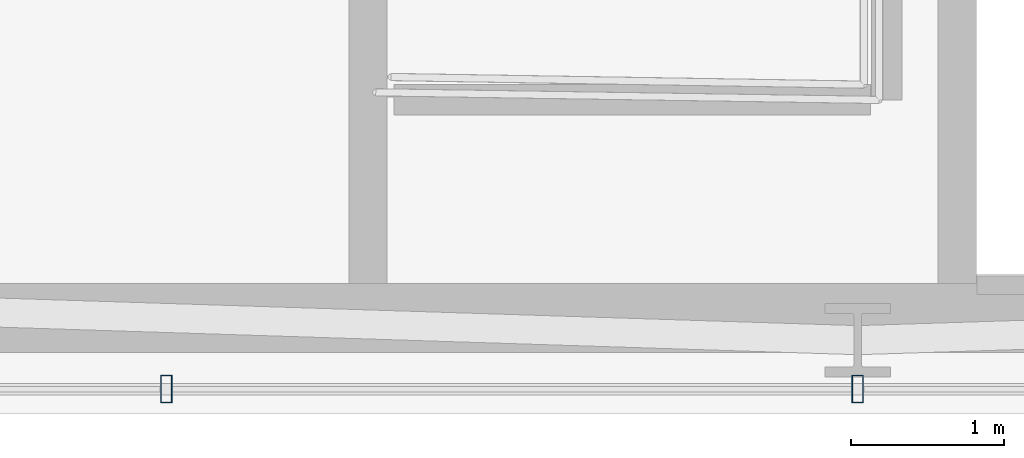
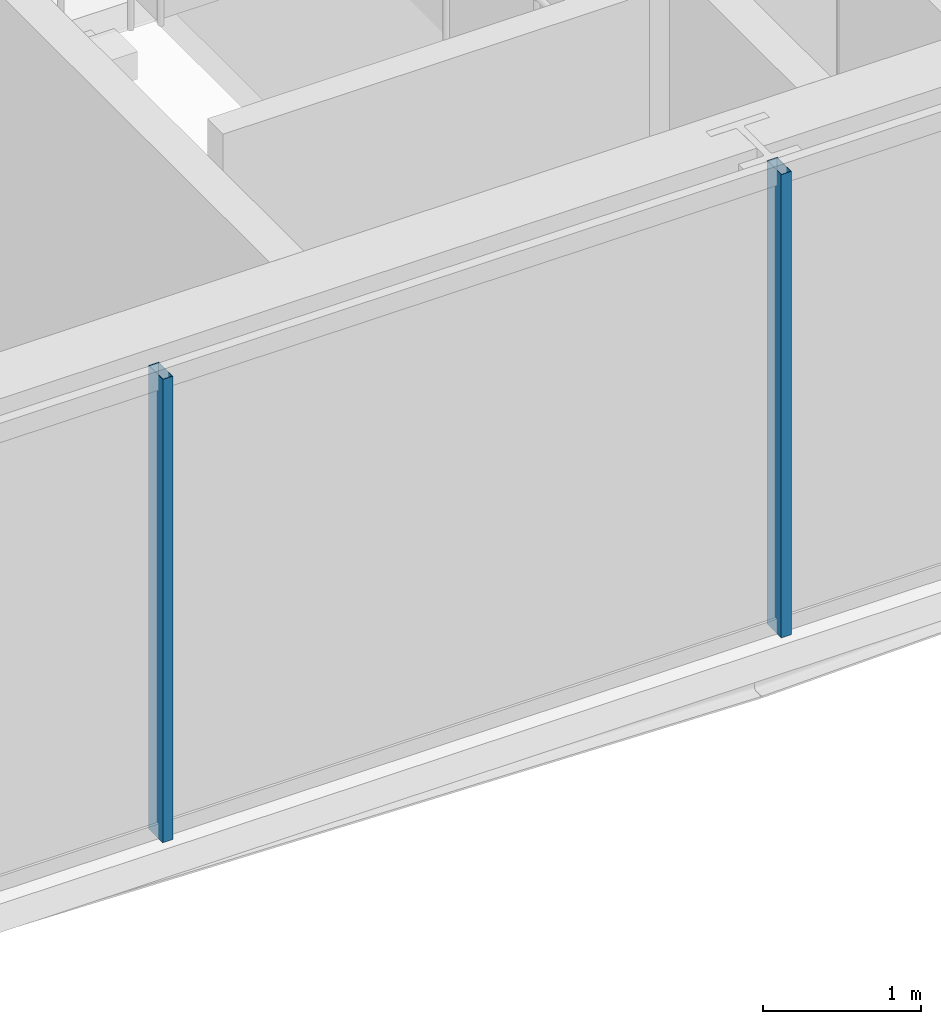
# One storey, part 7 of 33: 2 members, 1 element without a shape of its own.
"""IFC4 building model written with IfcOpenShell, lengths in metres."""

import ifcopenshell
import ifcopenshell.guid

model = None  # the IFC model being written
_history = None  # IfcOwnerHistory: only IFC2X3 demands one
_inside = {}  # id of a spatial element -> (the spatial element, [elements in it])
_under = {}  # id of a project, library or spatial element -> (it, [spatial elements below it])
_declared = {}  # id of a project -> (the project, [libraries it declares])
_typed = {}  # id of a type object -> (the type object, [elements of that type])
_made_of = {}  # id of a material, layer set ... -> (it, [elements and type objects made of it])


def new_model(schema):
    """Start an empty IFC model of exactly this schema.

    Asked for "IFC4X3", IfcOpenShell would pick the latest addendum, in which some entities
    have other attributes; the version numbers below select the first issue.
    IFC2X3 requires an IfcOwnerHistory on every rooted entity: one is made here for all.
    """
    global model, _history
    if schema == "IFC4X3":
        model = ifcopenshell.file(schema_version=(4, 3, 0, 0))
    else:
        model = ifcopenshell.file(schema=schema)
    _inside.clear()
    _under.clear()
    _declared.clear()
    _typed.clear()
    _made_of.clear()
    _history = None
    if model.schema == "IFC2X3":
        org = make("IfcOrganization", Name="unknown")
        user = make(
            "IfcPersonAndOrganization",
            ThePerson=make("IfcPerson", FamilyName="unknown"),
            TheOrganization=org,
        )
        app = make(
            "IfcApplication",
            ApplicationDeveloper=org,
            Version="unknown",
            ApplicationFullName="unknown",
            ApplicationIdentifier="unknown",
        )
        _history = make(
            "IfcOwnerHistory",
            OwningUser=user,
            OwningApplication=app,
            ChangeAction="ADDED",
            CreationDate=0,
        )
    return model


def make(cls, **values):
    """One entity of the class cls with the attributes given. An attribute that is None is left unset."""
    return model.create_entity(
        cls, **{name: value for name, value in values.items() if value is not None}
    )


def rooted(cls, **values):
    """An entity with a GlobalId (a new one), such as an element, a storey or a relation."""
    return make(cls, GlobalId=ifcopenshell.guid.new(), OwnerHistory=_history, **values)


def si_unit(unit_type, name, prefix=None):
    """IfcSIUnit, for example si_unit("LENGTHUNIT", "METRE", prefix="MILLI")."""
    return make("IfcSIUnit", UnitType=unit_type, Prefix=prefix, Name=name)


def assignment(units):
    """IfcUnitAssignment: the units of a project."""
    return None if units is None else make("IfcUnitAssignment", Units=units)


def point(xyz):
    """IfcCartesianPoint."""
    return None if xyz is None else make("IfcCartesianPoint", Coordinates=xyz)


def direction(xyz):
    """IfcDirection."""
    return None if xyz is None else make("IfcDirection", DirectionRatios=xyz)


def frame(location, z_axis=None, x_axis=None):
    """IfcAxis2Placement3D, a coordinate frame: its origin and axes. An axis left out is left unset."""
    return make(
        "IfcAxis2Placement3D",
        Location=point(location),
        Axis=direction(z_axis),
        RefDirection=direction(x_axis),
    )


def frame_2d(location, x_axis=None):
    """IfcAxis2Placement2D, a coordinate frame in the plane: its origin and x axis."""
    return make(
        "IfcAxis2Placement2D", Location=point(location), RefDirection=direction(x_axis)
    )


def origin():
    """The frame at (0, 0, 0) with its axes left unset."""
    return frame((0.0, 0.0, 0.0))


def origin_2d():
    """The frame at (0, 0) in the plane with its x axis left unset."""
    return frame_2d((0.0, 0.0))


def place(relative_to, where):
    """IfcLocalPlacement: puts the frame where relative to a parent placement (None: the world)."""
    return make(
        "IfcLocalPlacement", PlacementRelTo=relative_to, RelativePlacement=where
    )


def context(
    kind, dimensions, precision=None, world=None, true_north=None, identifier=None
):
    """IfcGeometricRepresentationContext, for example the 3D "Model" context."""
    return make(
        "IfcGeometricRepresentationContext",
        ContextIdentifier=identifier,
        ContextType=kind,
        CoordinateSpaceDimension=dimensions,
        Precision=precision,
        WorldCoordinateSystem=world,
        TrueNorth=true_north,
    )


def subcontext(parent, identifier, kind, view, scale=None):
    """IfcGeometricRepresentationSubContext, for example "Body" below "Model"."""
    return make(
        "IfcGeometricRepresentationSubContext",
        ContextIdentifier=identifier,
        ContextType=kind,
        ParentContext=parent,
        TargetScale=scale,
        TargetView=view,
    )


def project(units=None, contexts=None):
    """IfcProject with its units and contexts."""
    return rooted(
        "IfcProject",
        Name="project",
        RepresentationContexts=contexts,
        UnitsInContext=assignment(units),
    )


def spatial(cls, under=None, at=None, **own):
    """A site, building, storey or space (cls), placed at a placement, below another one or the project."""
    s = rooted(cls, ObjectPlacement=at, **own)
    if under is not None:
        _under.setdefault(under.id(), (under, []))[1].append(s)
    return s


def profile(cls, at=None, kind="AREA", **sizes):
    """A parametric profile (cls). Its sizes go by their IFC names, for example OverallWidth=200.0."""
    return make(cls, ProfileType=kind, Position=at, **sizes)


def hollow_rectangle(**sizes):
    """IfcRectangleHollowProfileDef."""
    return profile("IfcRectangleHollowProfileDef", **sizes)


def extrude(swept, where, along, depth):
    """IfcExtrudedAreaSolid: the profile swept, set in the frame where, extruded along a direction by depth."""
    return make(
        "IfcExtrudedAreaSolid",
        SweptArea=swept,
        Position=where,
        ExtrudedDirection=direction(along),
        Depth=depth,
    )


def shape(context_of_items, identifier, shape_type, items):
    """IfcShapeRepresentation: the items that make up one representation, for example the "Body"."""
    return make(
        "IfcShapeRepresentation",
        ContextOfItems=context_of_items,
        RepresentationIdentifier=identifier,
        RepresentationType=shape_type,
        Items=items,
    )


def material(Name=None, Category=None):
    """IfcMaterial."""
    return make("IfcMaterial", Name=Name, Category=Category)


def layer(
    of_material, thickness, ventilated=None, Name=None, Category=None, Priority=None
):
    """IfcMaterialLayer: one layer of a wall or slab, of a material (None: an air gap)."""
    return make(
        "IfcMaterialLayer",
        Material=of_material,
        LayerThickness=thickness,
        IsVentilated=ventilated,
        Name=Name,
        Category=Category,
        Priority=Priority,
    )


def layer_set(layers, Name=None):
    """IfcMaterialLayerSet."""
    return make("IfcMaterialLayerSet", MaterialLayers=layers, LayerSetName=Name)


def material_profile(
    of_material, cross_section, Name=None, Category=None, Priority=None
):
    """IfcMaterialProfile: a cross section and its material."""
    return make(
        "IfcMaterialProfile",
        Name=Name,
        Material=of_material,
        Profile=cross_section,
        Priority=Priority,
        Category=Category,
    )


def profile_set(profiles, Name=None, composite=None):
    """IfcMaterialProfileSet."""
    return make(
        "IfcMaterialProfileSet",
        Name=Name,
        MaterialProfiles=profiles,
        CompositeProfile=composite,
    )


def made_of(thing, what):
    """Note that an element or type object is made of a material, layer set ...; save() writes the relation."""
    if what is not None:
        _made_of.setdefault(what.id(), (what, []))[1].append(thing)
    return thing


def type_object(cls, material=None, **own):
    """A type object (cls), such as IfcWallType, which elements share."""
    return made_of(rooted(cls, **own), material)


def element(
    cls,
    number,
    at=None,
    inside=None,
    cuts=None,
    type_object=None,
    material=None,
    context=None,
    identifier="Body",
    shape_type=None,
    held_by="IfcProductDefinitionShape",
    body=None,
    shapes=None,
    **own,
):
    """One element of the class cls, such as IfcWall. Its Tag is "e" and its number.

    at: its placement. inside: the storey or other place that contains it. cuts: it is an
    opening in that element (IfcRelVoidsElement). A single representation is given by context,
    identifier, shape_type and body (its items); several are given by shapes. held_by: the class
    of the entity that holds the representations. save() writes the other relations.
    """
    e = rooted(cls, Tag="e%d" % number, ObjectPlacement=at, **own)
    if body is not None:
        shapes = [shape(context, identifier, shape_type, body)]
    if shapes is not None:
        e.Representation = make(held_by, Representations=shapes)
    if inside is not None:
        _inside.setdefault(inside.id(), (inside, []))[1].append(e)
    if cuts is not None:
        rooted(
            "IfcRelVoidsElement", RelatingBuildingElement=cuts, RelatedOpeningElement=e
        )
    if type_object is not None:
        _typed.setdefault(type_object.id(), (type_object, []))[1].append(e)
    return made_of(e, material)


def aggregate(whole, parts):
    """IfcRelAggregates: a whole, such as a stair, and the parts it consists of."""
    return rooted("IfcRelAggregates", RelatingObject=whole, RelatedObjects=parts)


def save(model, path):
    """Write the relations noted so far, then the file.

    IfcRelAggregates (storeys below a building ...), IfcRelContainedInSpatialStructure (elements
    in a storey), IfcRelDefinesByType, IfcRelAssociatesMaterial and IfcRelDeclares: one each for
    every whole, place, type object, material and project.
    """
    for whole, parts in _under.values():
        aggregate(whole, parts)
    for where, things in _inside.values():
        rooted(
            "IfcRelContainedInSpatialStructure",
            RelatedElements=things,
            RelatingStructure=where,
        )
    for kind, things in _typed.values():
        rooted("IfcRelDefinesByType", RelatedObjects=things, RelatingType=kind)
    for what, things in _made_of.values():
        rooted("IfcRelAssociatesMaterial", RelatedObjects=things, RelatingMaterial=what)
    for by, libraries in _declared.values():
        rooted("IfcRelDeclares", RelatingContext=by, RelatedDefinitions=libraries)
    model.write(path)


model = new_model("IFC4")

# Units and contexts
model_context = context("Model", 3, precision=1e-05, world=origin(), true_north=direction((0.0, 1.0)))
body_context = subcontext(model_context, "Body", "Model", "MODEL_VIEW")
ifc_project = project(units=[si_unit("LENGTHUNIT", "METRE"), si_unit("AREAUNIT", "SQUARE_METRE"), si_unit("VOLUMEUNIT", "CUBIC_METRE"), si_unit("PLANEANGLEUNIT", "RADIAN"), si_unit("MASSUNIT", "GRAM", prefix="KILO")], contexts=[model_context])

# Site, building, storey
site_placement = place(None, origin())
site = spatial("IfcSite", under=ifc_project, at=site_placement, CompositionType="ELEMENT")
building_placement = place(site_placement, origin())
building = spatial("IfcBuilding", under=site, at=building_placement, Name="Ndaravel Arena Tower", CompositionType="ELEMENT")
storey_placement = place(building_placement, frame((0.0, 0.0, 153.60009765625)))
storey = spatial("IfcBuildingStorey", under=building, at=storey_placement, Name="L36", CompositionType="ELEMENT", Elevation=153.60009765625)

# Curtain wall, members
ifc_material_1 = material(Name="Aluminium", Category="aluminium")
ifc_layer = layer(ifc_material_1, 0.179931640625)
ifc_layer_set = layer_set([ifc_layer], Name="Aluminium")
curtain_wall_type = type_object("IfcCurtainWallType", Name="CW-SYS-03", PredefinedType="NOTDEFINED", material=ifc_layer_set)
curtain_wall_placement = place(storey_placement, origin())
curtain_wall = element("IfcCurtainWall", 1, at=curtain_wall_placement, inside=storey, type_object=curtain_wall_type, Name="L36 Faceted Crystal Curtain Wall CW-L36-E01", PredefinedType="NOTDEFINED")
ifc_material_2 = material(Name="Aluminium", Category="aluminium")
ifc_material_profile = material_profile(ifc_material_2, hollow_rectangle(XDim=0.074951171875, YDim=0.179931640625, WallThickness=0.00390625, at=origin_2d()), Name="CW MULLION 75x180x4")
ifc_profile_set = profile_set([ifc_material_profile], Name="Aluminium")
member_type = type_object("IfcMemberType", Name="MEM-CW-MUL180", PredefinedType="MULLION", material=ifc_profile_set)
member_1_placement = place(storey_placement, frame((37.48095703125, 5.159912109375, 0.0), z_axis=(0.0, 0.0, 1.0), x_axis=(1.0, 0.0, 0.0)))
member_1 = element("IfcMember", 2, at=member_1_placement, type_object=member_type, Name="CW-L36-E01 Mullion 03", PredefinedType="MULLION", context=body_context, shape_type="SweptSolid", body=[
    extrude(hollow_rectangle(XDim=0.074951171875, YDim=0.179931640625, WallThickness=0.00390625, at=origin_2d()), origin(), (0.0, 0.0, 1.0), 3.579833984375),
])
member_2_placement = place(storey_placement, frame((42.0, 5.159912109375, 0.0), z_axis=(0.0, 0.0, 1.0), x_axis=(1.0, 0.0, 0.0)))
member_2 = element("IfcMember", 3, at=member_2_placement, type_object=member_type, Name="CW-L36-E01 Mullion 04", PredefinedType="MULLION", context=body_context, shape_type="SweptSolid", body=[
    extrude(hollow_rectangle(XDim=0.074951171875, YDim=0.179931640625, WallThickness=0.00390625, at=origin_2d()), origin(), (0.0, 0.0, 1.0), 3.579833984375),
])
aggregate(curtain_wall, [member_1, member_2])

save(model, "model.ifc")
